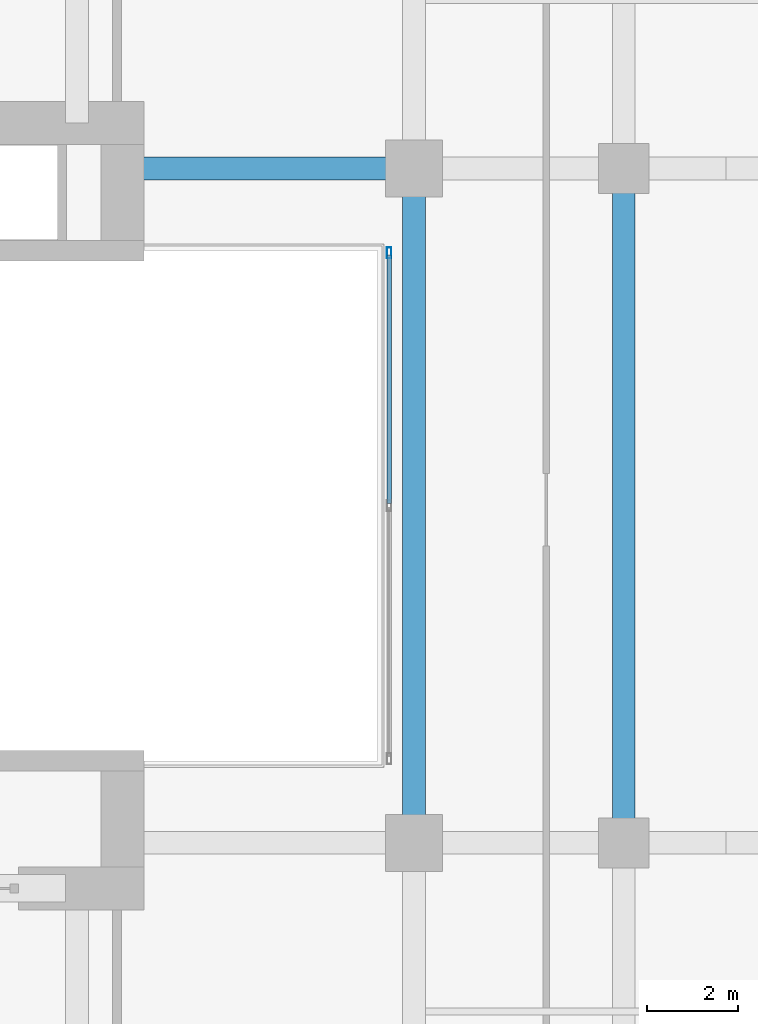
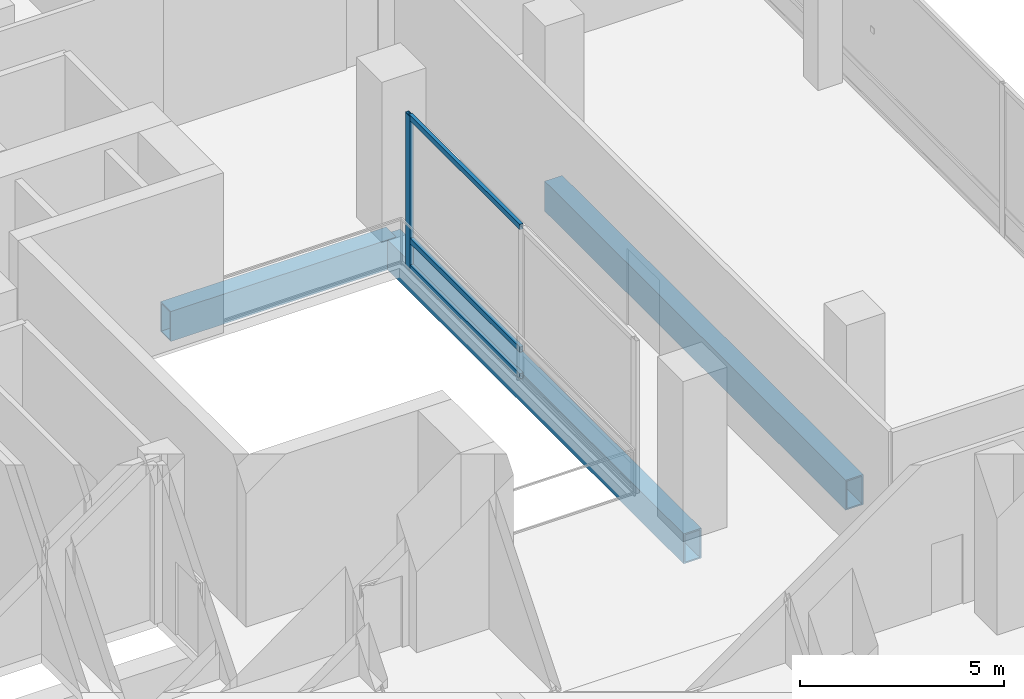
# One storey, part 10 of 28: 4 members, 3 beams, 1 element without a shape of its own.
"""IFC4 building model written with IfcOpenShell, lengths in metres."""

import ifcopenshell
import ifcopenshell.guid

model = None  # the IFC model being written
_history = None  # IfcOwnerHistory: only IFC2X3 demands one
_inside = {}  # id of a spatial element -> (the spatial element, [elements in it])
_under = {}  # id of a project, library or spatial element -> (it, [spatial elements below it])
_declared = {}  # id of a project -> (the project, [libraries it declares])
_typed = {}  # id of a type object -> (the type object, [elements of that type])
_made_of = {}  # id of a material, layer set ... -> (it, [elements and type objects made of it])


def new_model(schema):
    """Start an empty IFC model of exactly this schema.

    Asked for "IFC4X3", IfcOpenShell would pick the latest addendum, in which some entities
    have other attributes; the version numbers below select the first issue.
    IFC2X3 requires an IfcOwnerHistory on every rooted entity: one is made here for all.
    """
    global model, _history
    if schema == "IFC4X3":
        model = ifcopenshell.file(schema_version=(4, 3, 0, 0))
    else:
        model = ifcopenshell.file(schema=schema)
    _inside.clear()
    _under.clear()
    _declared.clear()
    _typed.clear()
    _made_of.clear()
    _history = None
    if model.schema == "IFC2X3":
        org = make("IfcOrganization", Name="unknown")
        user = make(
            "IfcPersonAndOrganization",
            ThePerson=make("IfcPerson", FamilyName="unknown"),
            TheOrganization=org,
        )
        app = make(
            "IfcApplication",
            ApplicationDeveloper=org,
            Version="unknown",
            ApplicationFullName="unknown",
            ApplicationIdentifier="unknown",
        )
        _history = make(
            "IfcOwnerHistory",
            OwningUser=user,
            OwningApplication=app,
            ChangeAction="ADDED",
            CreationDate=0,
        )
    return model


def make(cls, **values):
    """One entity of the class cls with the attributes given. An attribute that is None is left unset."""
    return model.create_entity(
        cls, **{name: value for name, value in values.items() if value is not None}
    )


def rooted(cls, **values):
    """An entity with a GlobalId (a new one), such as an element, a storey or a relation."""
    return make(cls, GlobalId=ifcopenshell.guid.new(), OwnerHistory=_history, **values)


def si_unit(unit_type, name, prefix=None):
    """IfcSIUnit, for example si_unit("LENGTHUNIT", "METRE", prefix="MILLI")."""
    return make("IfcSIUnit", UnitType=unit_type, Prefix=prefix, Name=name)


def assignment(units):
    """IfcUnitAssignment: the units of a project."""
    return None if units is None else make("IfcUnitAssignment", Units=units)


def point(xyz):
    """IfcCartesianPoint."""
    return None if xyz is None else make("IfcCartesianPoint", Coordinates=xyz)


def direction(xyz):
    """IfcDirection."""
    return None if xyz is None else make("IfcDirection", DirectionRatios=xyz)


def frame(location, z_axis=None, x_axis=None):
    """IfcAxis2Placement3D, a coordinate frame: its origin and axes. An axis left out is left unset."""
    return make(
        "IfcAxis2Placement3D",
        Location=point(location),
        Axis=direction(z_axis),
        RefDirection=direction(x_axis),
    )


def frame_2d(location, x_axis=None):
    """IfcAxis2Placement2D, a coordinate frame in the plane: its origin and x axis."""
    return make(
        "IfcAxis2Placement2D", Location=point(location), RefDirection=direction(x_axis)
    )


def origin():
    """The frame at (0, 0, 0) with its axes left unset."""
    return frame((0.0, 0.0, 0.0))


def origin_2d():
    """The frame at (0, 0) in the plane with its x axis left unset."""
    return frame_2d((0.0, 0.0))


def place(relative_to, where):
    """IfcLocalPlacement: puts the frame where relative to a parent placement (None: the world)."""
    return make(
        "IfcLocalPlacement", PlacementRelTo=relative_to, RelativePlacement=where
    )


def context(
    kind, dimensions, precision=None, world=None, true_north=None, identifier=None
):
    """IfcGeometricRepresentationContext, for example the 3D "Model" context."""
    return make(
        "IfcGeometricRepresentationContext",
        ContextIdentifier=identifier,
        ContextType=kind,
        CoordinateSpaceDimension=dimensions,
        Precision=precision,
        WorldCoordinateSystem=world,
        TrueNorth=true_north,
    )


def subcontext(parent, identifier, kind, view, scale=None):
    """IfcGeometricRepresentationSubContext, for example "Body" below "Model"."""
    return make(
        "IfcGeometricRepresentationSubContext",
        ContextIdentifier=identifier,
        ContextType=kind,
        ParentContext=parent,
        TargetScale=scale,
        TargetView=view,
    )


def project(units=None, contexts=None):
    """IfcProject with its units and contexts."""
    return rooted(
        "IfcProject",
        Name="project",
        RepresentationContexts=contexts,
        UnitsInContext=assignment(units),
    )


def spatial(cls, under=None, at=None, **own):
    """A site, building, storey or space (cls), placed at a placement, below another one or the project."""
    s = rooted(cls, ObjectPlacement=at, **own)
    if under is not None:
        _under.setdefault(under.id(), (under, []))[1].append(s)
    return s


def profile(cls, at=None, kind="AREA", **sizes):
    """A parametric profile (cls). Its sizes go by their IFC names, for example OverallWidth=200.0."""
    return make(cls, ProfileType=kind, Position=at, **sizes)


def hollow_rectangle(**sizes):
    """IfcRectangleHollowProfileDef."""
    return profile("IfcRectangleHollowProfileDef", **sizes)


def extrude(swept, where, along, depth):
    """IfcExtrudedAreaSolid: the profile swept, set in the frame where, extruded along a direction by depth."""
    return make(
        "IfcExtrudedAreaSolid",
        SweptArea=swept,
        Position=where,
        ExtrudedDirection=direction(along),
        Depth=depth,
    )


def shape(context_of_items, identifier, shape_type, items):
    """IfcShapeRepresentation: the items that make up one representation, for example the "Body"."""
    return make(
        "IfcShapeRepresentation",
        ContextOfItems=context_of_items,
        RepresentationIdentifier=identifier,
        RepresentationType=shape_type,
        Items=items,
    )


def material(Name=None, Category=None):
    """IfcMaterial."""
    return make("IfcMaterial", Name=Name, Category=Category)


def layer(
    of_material, thickness, ventilated=None, Name=None, Category=None, Priority=None
):
    """IfcMaterialLayer: one layer of a wall or slab, of a material (None: an air gap)."""
    return make(
        "IfcMaterialLayer",
        Material=of_material,
        LayerThickness=thickness,
        IsVentilated=ventilated,
        Name=Name,
        Category=Category,
        Priority=Priority,
    )


def layer_set(layers, Name=None):
    """IfcMaterialLayerSet."""
    return make("IfcMaterialLayerSet", MaterialLayers=layers, LayerSetName=Name)


def material_profile(
    of_material, cross_section, Name=None, Category=None, Priority=None
):
    """IfcMaterialProfile: a cross section and its material."""
    return make(
        "IfcMaterialProfile",
        Name=Name,
        Material=of_material,
        Profile=cross_section,
        Priority=Priority,
        Category=Category,
    )


def profile_set(profiles, Name=None, composite=None):
    """IfcMaterialProfileSet."""
    return make(
        "IfcMaterialProfileSet",
        Name=Name,
        MaterialProfiles=profiles,
        CompositeProfile=composite,
    )


def made_of(thing, what):
    """Note that an element or type object is made of a material, layer set ...; save() writes the relation."""
    if what is not None:
        _made_of.setdefault(what.id(), (what, []))[1].append(thing)
    return thing


def type_object(cls, material=None, **own):
    """A type object (cls), such as IfcWallType, which elements share."""
    return made_of(rooted(cls, **own), material)


def element(
    cls,
    number,
    at=None,
    inside=None,
    cuts=None,
    type_object=None,
    material=None,
    context=None,
    identifier="Body",
    shape_type=None,
    held_by="IfcProductDefinitionShape",
    body=None,
    shapes=None,
    **own,
):
    """One element of the class cls, such as IfcWall. Its Tag is "e" and its number.

    at: its placement. inside: the storey or other place that contains it. cuts: it is an
    opening in that element (IfcRelVoidsElement). A single representation is given by context,
    identifier, shape_type and body (its items); several are given by shapes. held_by: the class
    of the entity that holds the representations. save() writes the other relations.
    """
    e = rooted(cls, Tag="e%d" % number, ObjectPlacement=at, **own)
    if body is not None:
        shapes = [shape(context, identifier, shape_type, body)]
    if shapes is not None:
        e.Representation = make(held_by, Representations=shapes)
    if inside is not None:
        _inside.setdefault(inside.id(), (inside, []))[1].append(e)
    if cuts is not None:
        rooted(
            "IfcRelVoidsElement", RelatingBuildingElement=cuts, RelatedOpeningElement=e
        )
    if type_object is not None:
        _typed.setdefault(type_object.id(), (type_object, []))[1].append(e)
    return made_of(e, material)


def aggregate(whole, parts):
    """IfcRelAggregates: a whole, such as a stair, and the parts it consists of."""
    return rooted("IfcRelAggregates", RelatingObject=whole, RelatedObjects=parts)


def save(model, path):
    """Write the relations noted so far, then the file.

    IfcRelAggregates (storeys below a building ...), IfcRelContainedInSpatialStructure (elements
    in a storey), IfcRelDefinesByType, IfcRelAssociatesMaterial and IfcRelDeclares: one each for
    every whole, place, type object, material and project.
    """
    for whole, parts in _under.values():
        aggregate(whole, parts)
    for where, things in _inside.values():
        rooted(
            "IfcRelContainedInSpatialStructure",
            RelatedElements=things,
            RelatingStructure=where,
        )
    for kind, things in _typed.values():
        rooted("IfcRelDefinesByType", RelatedObjects=things, RelatingType=kind)
    for what, things in _made_of.values():
        rooted("IfcRelAssociatesMaterial", RelatedObjects=things, RelatingMaterial=what)
    for by, libraries in _declared.values():
        rooted("IfcRelDeclares", RelatingContext=by, RelatedDefinitions=libraries)
    model.write(path)


model = new_model("IFC4")

# Units and contexts
model_context = context("Model", 3, precision=1e-05, world=origin(), true_north=direction((0.0, 1.0)))
body_context = subcontext(model_context, "Body", "Model", "MODEL_VIEW")
ifc_project = project(units=[si_unit("LENGTHUNIT", "METRE"), si_unit("AREAUNIT", "SQUARE_METRE"), si_unit("VOLUMEUNIT", "CUBIC_METRE"), si_unit("PLANEANGLEUNIT", "RADIAN"), si_unit("MASSUNIT", "GRAM", prefix="KILO")], contexts=[model_context])

# Site, building, storey
site_placement = place(None, origin())
site = spatial("IfcSite", under=ifc_project, at=site_placement, CompositionType="ELEMENT")
building_placement = place(site_placement, origin())
building = spatial("IfcBuilding", under=site, at=building_placement, Name="Khorvyn Point Tower", CompositionType="ELEMENT")
storey_placement = place(building_placement, frame((0.0, 0.0, 108.60009765625)))
storey = spatial("IfcBuildingStorey", under=building, at=storey_placement, Name="L27", CompositionType="ELEMENT", Elevation=108.60009765625)

# Curtain wall, members
ifc_material_1 = material(Name="Anodised aluminium 6063-T6 and laminated Low-E glass", Category="aluminium")
ifc_layer = layer(ifc_material_1, 0.18994140625)
ifc_layer_set = layer_set([ifc_layer], Name="Stick-Built Crystal Atrium Curtain Wall CW-SYS-06")
curtain_wall_type = type_object("IfcCurtainWallType", Name="Stick-Built Crystal Atrium Curtain Wall CW-SYS-06", PredefinedType="NOTDEFINED", material=ifc_layer_set)
curtain_wall_placement = place(storey_placement, origin())
curtain_wall = element("IfcCurtainWall", 1, at=curtain_wall_placement, inside=storey, type_object=curtain_wall_type, Name="Curtain Wall", PredefinedType="NOTDEFINED")
ifc_material_2 = material(Name="Anodised aluminium 6063-T6", Category="aluminium")
ifc_material_profile_1 = material_profile(ifc_material_2, hollow_rectangle(XDim=0.10009765625, YDim=0.239990234375, WallThickness=0.0048828125, at=origin_2d()))
ifc_profile_set_1 = profile_set([ifc_material_profile_1], Name="Anodised aluminium 6063-T6 ALU-MUL-100x240")
member_type_1 = type_object("IfcMemberType", Name="Anodised Aluminium 6063-T6 Mullion ALU-MUL-100x240", PredefinedType="MULLION", material=ifc_profile_set_1)
member_1_placement = place(storey_placement, frame((14.25, 5.550048828125, 0.0), z_axis=(0.0, 0.0, 1.0), x_axis=(-1.0, 0.0, 0.0)))
member_1 = element("IfcMember", 2, at=member_1_placement, type_object=member_type_1, Name="Transom", PredefinedType="MULLION", context=body_context, shape_type="SweptSolid", body=[
    extrude(hollow_rectangle(XDim=0.10009765625, YDim=0.239990234375, WallThickness=0.0048828125, at=origin_2d()), origin(), (0.0, 0.0, 1.0), 4.579833984375),
])
ifc_material_profile_2 = material_profile(ifc_material_2, hollow_rectangle(XDim=0.10009765625, YDim=0.159912109375, WallThickness=0.00439453125, at=origin_2d()))
ifc_profile_set_2 = profile_set([ifc_material_profile_2], Name="Anodised aluminium 6063-T6 ALU-TRN-100x160")
member_type_2 = type_object("IfcMemberType", Name="Anodised Aluminium 6063-T6 Transom ALU-TRN-100x160", PredefinedType="USERDEFINED", material=ifc_profile_set_2)
member_2_placement = place(storey_placement, frame((14.25, 0.050048828125, 0.0498046875), z_axis=(0.0, 1.0, 0.0), x_axis=(-1.0, 0.0, 0.0)))
member_2 = element("IfcMember", 3, at=member_2_placement, type_object=member_type_2, Name="Transom", ObjectType="TRANSOM", PredefinedType="USERDEFINED", context=body_context, shape_type="SweptSolid", body=[
    extrude(hollow_rectangle(XDim=0.10009765625, YDim=0.159912109375, WallThickness=0.00439453125, at=origin_2d()), origin(), (0.0, 0.0, 1.0), 5.449951171875),
])
member_3_placement = place(storey_placement, frame((14.25, 0.050048828125, 0.849853515625), z_axis=(0.0, 1.0, 0.0), x_axis=(-1.0, 0.0, 0.0)))
member_3 = element("IfcMember", 4, at=member_3_placement, type_object=member_type_2, Name="Transom", ObjectType="TRANSOM", PredefinedType="USERDEFINED", context=body_context, shape_type="SweptSolid", body=[
    extrude(hollow_rectangle(XDim=0.10009765625, YDim=0.159912109375, WallThickness=0.00439453125, at=origin_2d()), origin(), (0.0, 0.0, 1.0), 5.449951171875),
])
member_4_placement = place(storey_placement, frame((14.25, 0.050048828125, 4.52978515625), z_axis=(0.0, 1.0, 0.0), x_axis=(-1.0, 0.0, 0.0)))
member_4 = element("IfcMember", 5, at=member_4_placement, type_object=member_type_2, Name="Transom", ObjectType="TRANSOM", PredefinedType="USERDEFINED", context=body_context, shape_type="SweptSolid", body=[
    extrude(hollow_rectangle(XDim=0.10009765625, YDim=0.159912109375, WallThickness=0.00439453125, at=origin_2d()), origin(), (0.0, 0.0, 1.0), 5.449951171875),
])
aggregate(curtain_wall, [member_1, member_2, member_3, member_4])

# Beams
ifc_material_3 = material(Name="Steel S450", Category="steel")
ifc_material_profile_3 = material_profile(ifc_material_3, hollow_rectangle(XDim=0.5, YDim=0.89990234375, WallThickness=0.0400390625, at=origin_2d()))
ifc_profile_set_3 = profile_set([ifc_material_profile_3], Name="Steel S450 BOX900x500x40")
beam_type = type_object("IfcBeamType", Name="Steel S450 Beam BOX900x500x40", PredefinedType="BEAM", material=ifc_profile_set_3)
beam_placement = place(storey_placement, frame((8.39990234375, 7.39990234375, -0.72998046875), z_axis=(1.0, 0.0, 0.0), x_axis=(0.0, 1.0, 0.0)))
element("IfcBeam", 6, at=beam_placement, inside=storey, type_object=beam_type, Name="Beam", PredefinedType="BEAM", context=body_context, shape_type="SweptSolid", body=[
    extrude(hollow_rectangle(XDim=0.5, YDim=0.89990234375, WallThickness=0.0400390625, at=origin_2d()), origin(), (0.0, 0.0, 1.0), 6.400146484375),
])
for number, where, z_axis, x_axis, name in (
    (7, (14.800048828125, -7.39990234375, -0.72998046875), (0.0, 1.0, 0.0), (-1.0, 0.0, 0.0), "L27 Radial Transfer Girder"),
    (8, (19.39990234375, -7.39990234375, -0.72998046875), (0.0, 1.0, 0.0), (-1.0, 0.0, 0.0), "Beam"),
):
    element("IfcBeam", number, at=place(storey_placement, frame(where, z_axis=z_axis, x_axis=x_axis)), inside=storey, type_object=beam_type, Name=name, PredefinedType="BEAM", context=body_context, shape_type="SweptSolid", body=[
        extrude(hollow_rectangle(XDim=0.5, YDim=0.89990234375, WallThickness=0.0400390625, at=origin_2d()), origin(), (0.0, 0.0, 1.0), 14.7998046875),
    ])

save(model, "model.ifc")
